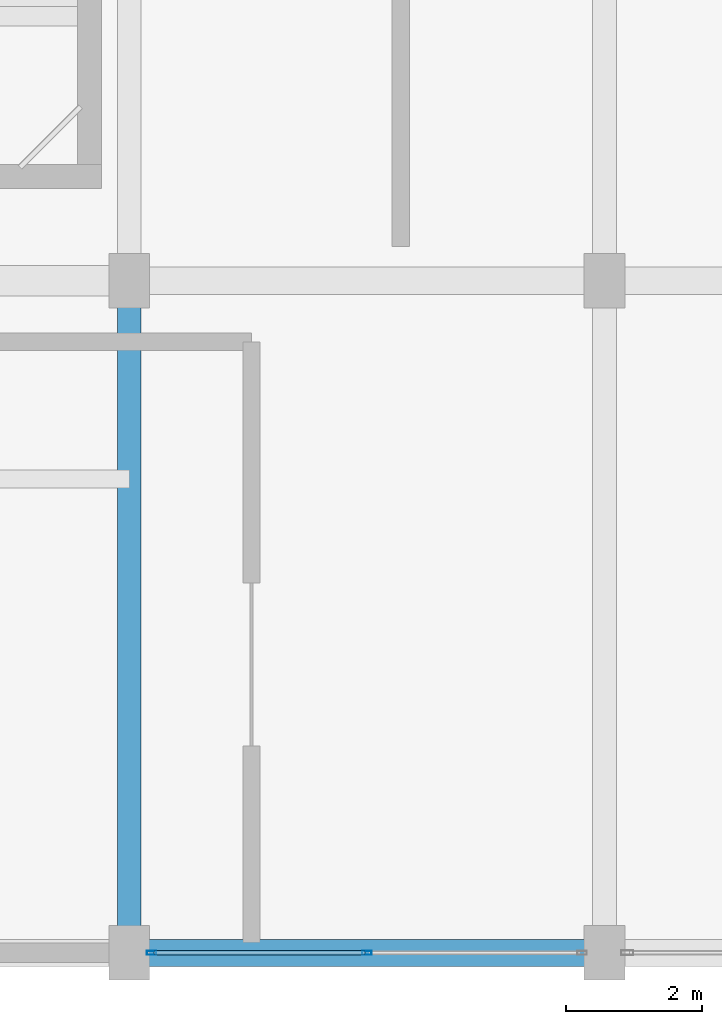
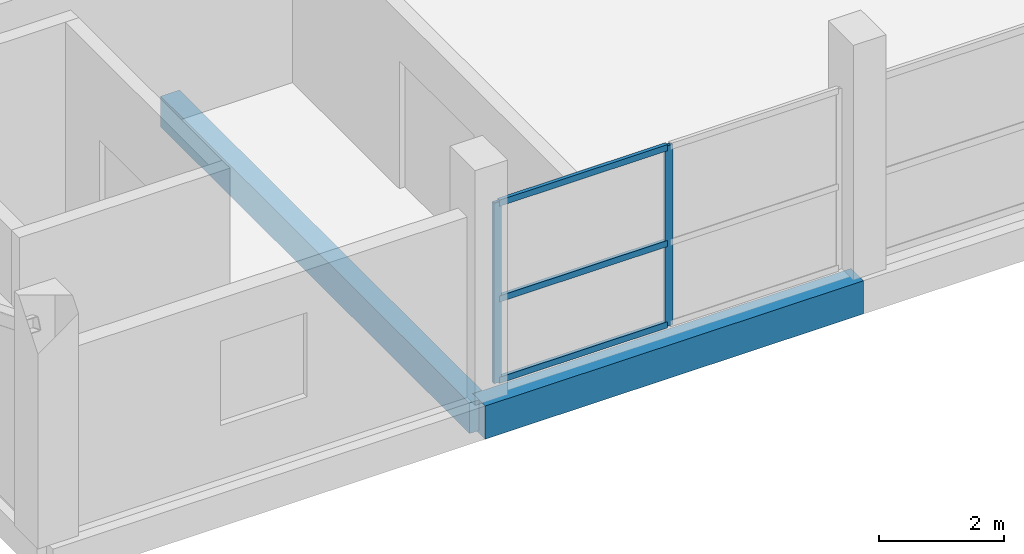
# One storey, part 2 of 55: 5 members, 2 beams, 1 element without a shape of its own.
"""IFC4 building model written with IfcOpenShell, lengths in metres."""

from ifc_helpers import new_model, si_unit, direction, frame, origin, origin_2d, place, context, subcontext, project, spatial, rectangle, hollow_rectangle, extrude, material, layer, layer_set, material_profile, profile_set, type_object, element, aggregate, save


model = new_model("IFC4")

# Units and contexts
model_context = context("Model", 3, precision=1e-05, world=origin(), true_north=direction((0.0, 1.0)))
body_context = subcontext(model_context, "Body", "Model", "MODEL_VIEW")
ifc_project = project(units=[si_unit("LENGTHUNIT", "METRE"), si_unit("AREAUNIT", "SQUARE_METRE"), si_unit("VOLUMEUNIT", "CUBIC_METRE"), si_unit("PLANEANGLEUNIT", "RADIAN"), si_unit("MASSUNIT", "GRAM", prefix="KILO")], contexts=[model_context])

# Site, building, storey
site_placement = place(None, origin())
site = spatial("IfcSite", under=ifc_project, at=site_placement, CompositionType="ELEMENT")
building_placement = place(site_placement, origin())
building = spatial("IfcBuilding", under=site, at=building_placement, Name="Sillaruma Civic Art Gallery", CompositionType="ELEMENT")
storey_placement = place(building_placement, frame((0.0, 0.0, 37.739990234375)))
storey = spatial("IfcBuildingStorey", under=building, at=storey_placement, Name="L07", CompositionType="ELEMENT", Elevation=37.739990234375)

# Beams
ifc_material_1 = material(Name="Concrete H35 (35 MPa)", Category="concrete")
ifc_material_profile_1 = material_profile(ifc_material_1, rectangle(XDim=0.35009765625, YDim=0.60009765625, at=origin_2d()), Name="RCB350x600")
ifc_profile_set_1 = profile_set([ifc_material_profile_1], Name="Concrete H35 (35 MPa)")
beam_type_1 = type_object("IfcBeamType", Name="BM-BEAM-RCB350x600", PredefinedType="BEAM", material=ifc_profile_set_1)
beam_1_placement = place(storey_placement, frame((70.0, 19.800048828125, -0.5400390625), z_axis=(0.0, 1.0, 0.0), x_axis=(-1.0, 0.0, 0.0)))
element("IfcBeam", 1, at=beam_1_placement, inside=storey, type_object=beam_type_1, Name="Beam BM-06 (L06:G:3-4)", PredefinedType="BEAM", context=body_context, shape_type="SweptSolid", body=[
    extrude(rectangle(XDim=0.35009765625, YDim=0.60009765625, at=origin_2d()), origin(), (0.0, 0.0, 1.0), 9.89990234375),
])
ifc_material_profile_2 = material_profile(ifc_material_1, rectangle(XDim=0.39990234375, YDim=0.64990234375, at=origin_2d()), Name="RCB400x650")
ifc_profile_set_2 = profile_set([ifc_material_profile_2], Name="Concrete H35 (35 MPa)")
beam_type_2 = type_object("IfcBeamType", Name="BM-SPANDREL-RCB400x650", PredefinedType="SPANDREL", material=ifc_profile_set_2)
beam_2_placement = place(storey_placement, frame((70.0, 19.800048828125, -0.56494140625), z_axis=(1.0, 0.0, 0.0), x_axis=(0.0, 1.0, 0.0)))
element("IfcBeam", 2, at=beam_2_placement, inside=storey, type_object=beam_type_2, Name="Beam BS-02 (L06:3:G-H)", PredefinedType="SPANDREL", context=body_context, shape_type="SweptSolid", body=[
    extrude(rectangle(XDim=0.39990234375, YDim=0.64990234375, at=origin_2d()), origin(), (0.0, 0.0, 1.0), 7.0),
])

# Curtain wall, members
ifc_material_2 = material(Name="Thermally Broken Extruded Aluminium 6063-T6", Category="aluminium")
ifc_layer = layer(ifc_material_2, 0.139892578125, Name="Thermally Broken Extruded Aluminium 6063-T6")
ifc_layer_set = layer_set([ifc_layer], Name="Thermally Broken Extruded Aluminium 6063-T6")
curtain_wall_type = type_object("IfcCurtainWallType", Name="CW-UNI-50", PredefinedType="NOTDEFINED", material=ifc_layer_set)
curtain_wall_placement = place(storey_placement, origin())
curtain_wall = element("IfcCurtainWall", 3, at=curtain_wall_placement, inside=storey, type_object=curtain_wall_type, Name="Unitised Curtain Wall CW-50 (CW-L07-S-2)", PredefinedType="NOTDEFINED")
ifc_material_profile_3 = material_profile(ifc_material_2, hollow_rectangle(XDim=0.06005859375, YDim=0.139892578125, WallThickness=0.00341796875, at=origin_2d()), Name="CWM60x140")
ifc_profile_set_3 = profile_set([ifc_material_profile_3], Name="Thermally Broken Extruded Aluminium 6063-T6")
member_type_1 = type_object("IfcMemberType", Name="MEM-MUL-CWM60x140", PredefinedType="MULLION", material=ifc_profile_set_3)
member_1_placement = place(storey_placement, frame((70.330078125, 19.800048828125, 0.0), z_axis=(0.0, 0.0, 1.0), x_axis=(0.0, 1.0, 0.0)))
member_1 = element("IfcMember", 4, at=member_1_placement, type_object=member_type_1, Name="CW-50 mullion 1", PredefinedType="MULLION", context=body_context, shape_type="SweptSolid", body=[
    extrude(hollow_rectangle(XDim=0.06005859375, YDim=0.139892578125, WallThickness=0.00341796875, at=origin_2d()), origin(), (0.0, 0.0, 1.0), 3.530029296875),
])
member_2_placement = place(storey_placement, frame((73.5, 19.800048828125, 0.0), z_axis=(0.0, 0.0, 1.0), x_axis=(0.0, 1.0, 0.0)))
member_2 = element("IfcMember", 5, at=member_2_placement, type_object=member_type_1, Name="CW-50 mullion 2", PredefinedType="MULLION", context=body_context, shape_type="SweptSolid", body=[
    extrude(hollow_rectangle(XDim=0.06005859375, YDim=0.139892578125, WallThickness=0.00341796875, at=origin_2d()), origin(), (0.0, 0.0, 1.0), 3.530029296875),
])
ifc_material_profile_4 = material_profile(ifc_material_2, hollow_rectangle(XDim=0.06494140625, YDim=0.1201171875, WallThickness=0.00341796875, at=origin_2d()), Name="CWT65x120")
ifc_profile_set_4 = profile_set([ifc_material_profile_4], Name="Thermally Broken Extruded Aluminium 6063-T6")
member_type_2 = type_object("IfcMemberType", Name="MEM-TRN-CWT65x120", PredefinedType="USERDEFINED", material=ifc_profile_set_4)
member_3_placement = place(storey_placement, frame((70.360107421875, 19.800048828125, 0.032470703125), z_axis=(1.0, 0.0, 0.0), x_axis=(0.0, 1.0, 0.0)))
member_3 = element("IfcMember", 6, at=member_3_placement, type_object=member_type_2, Name="CW-50 transom 1.1", ObjectType="TRANSOM", PredefinedType="USERDEFINED", context=body_context, shape_type="SweptSolid", body=[
    extrude(hollow_rectangle(XDim=0.06494140625, YDim=0.1201171875, WallThickness=0.00341796875, at=origin_2d()), origin(), (0.0, 0.0, 1.0), 3.10986328125),
])
member_4_placement = place(storey_placement, frame((70.360107421875, 19.800048828125, 1.623779296875), z_axis=(1.0, 0.0, 0.0), x_axis=(0.0, 1.0, 0.0)))
member_4 = element("IfcMember", 7, at=member_4_placement, type_object=member_type_2, Name="CW-50 transom 1.2", ObjectType="TRANSOM", PredefinedType="USERDEFINED", context=body_context, shape_type="SweptSolid", body=[
    extrude(hollow_rectangle(XDim=0.06494140625, YDim=0.1201171875, WallThickness=0.00341796875, at=origin_2d()), origin(), (0.0, 0.0, 1.0), 3.10986328125),
])
member_5_placement = place(storey_placement, frame((70.360107421875, 19.800048828125, 3.49755859375), z_axis=(1.0, 0.0, 0.0), x_axis=(0.0, 1.0, 0.0)))
member_5 = element("IfcMember", 8, at=member_5_placement, type_object=member_type_2, Name="CW-50 transom 1.3", ObjectType="TRANSOM", PredefinedType="USERDEFINED", context=body_context, shape_type="SweptSolid", body=[
    extrude(hollow_rectangle(XDim=0.06494140625, YDim=0.1201171875, WallThickness=0.00341796875, at=origin_2d()), origin(), (0.0, 0.0, 1.0), 3.10986328125),
])
aggregate(curtain_wall, [member_1, member_2, member_3, member_4, member_5])

save(model, "model.ifc")
